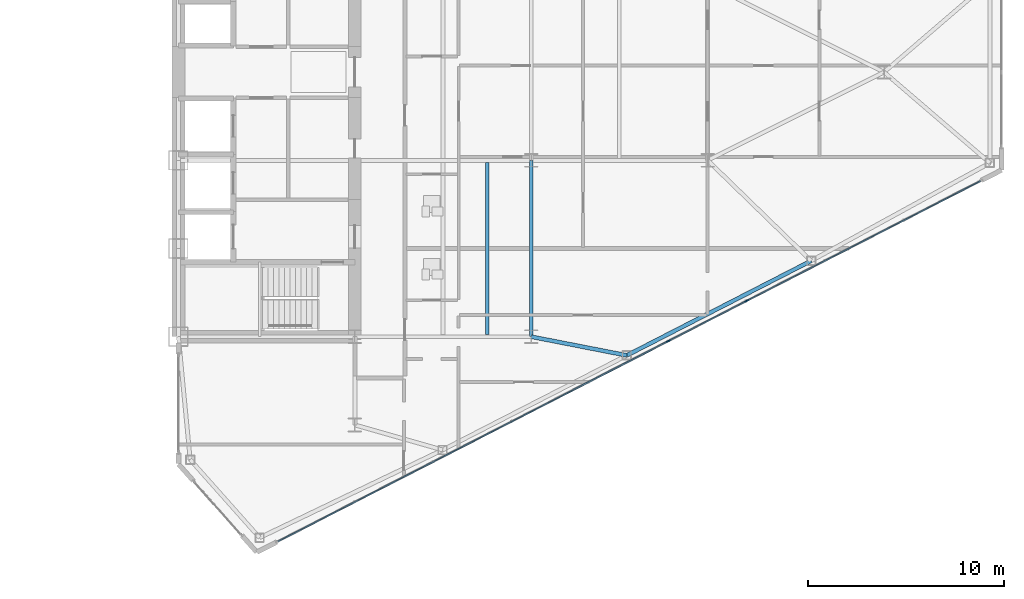
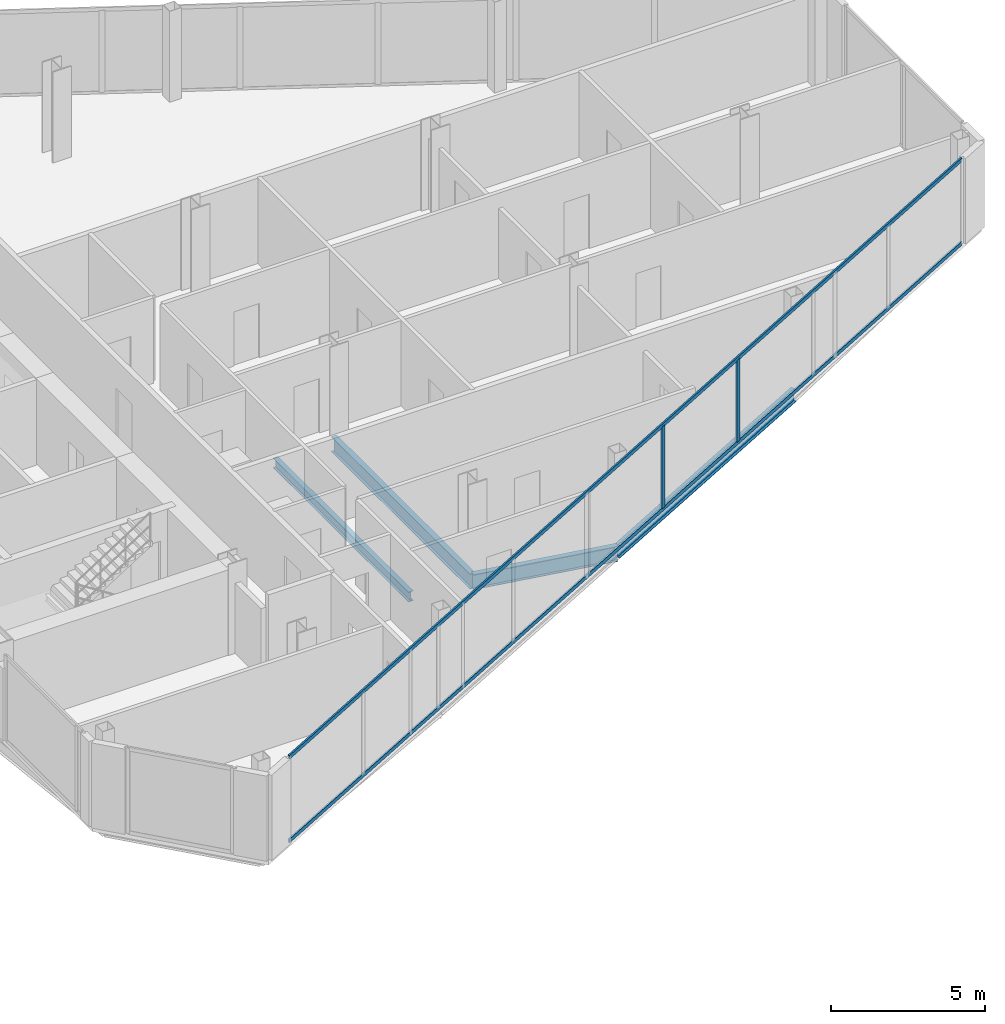
# One storey, part 9 of 23: 4 beams, 4 members, 1 element without a shape of its own.
"""IFC4 building model written with IfcOpenShell, lengths in metres."""

import ifcopenshell
import ifcopenshell.guid

model = None  # the IFC model being written
_history = None  # IfcOwnerHistory: only IFC2X3 demands one
_inside = {}  # id of a spatial element -> (the spatial element, [elements in it])
_under = {}  # id of a project, library or spatial element -> (it, [spatial elements below it])
_declared = {}  # id of a project -> (the project, [libraries it declares])
_typed = {}  # id of a type object -> (the type object, [elements of that type])
_made_of = {}  # id of a material, layer set ... -> (it, [elements and type objects made of it])


def new_model(schema):
    """Start an empty IFC model of exactly this schema.

    Asked for "IFC4X3", IfcOpenShell would pick the latest addendum, in which some entities
    have other attributes; the version numbers below select the first issue.
    IFC2X3 requires an IfcOwnerHistory on every rooted entity: one is made here for all.
    """
    global model, _history
    if schema == "IFC4X3":
        model = ifcopenshell.file(schema_version=(4, 3, 0, 0))
    else:
        model = ifcopenshell.file(schema=schema)
    _inside.clear()
    _under.clear()
    _declared.clear()
    _typed.clear()
    _made_of.clear()
    _history = None
    if model.schema == "IFC2X3":
        org = make("IfcOrganization", Name="unknown")
        user = make(
            "IfcPersonAndOrganization",
            ThePerson=make("IfcPerson", FamilyName="unknown"),
            TheOrganization=org,
        )
        app = make(
            "IfcApplication",
            ApplicationDeveloper=org,
            Version="unknown",
            ApplicationFullName="unknown",
            ApplicationIdentifier="unknown",
        )
        _history = make(
            "IfcOwnerHistory",
            OwningUser=user,
            OwningApplication=app,
            ChangeAction="ADDED",
            CreationDate=0,
        )
    return model


def make(cls, **values):
    """One entity of the class cls with the attributes given. An attribute that is None is left unset."""
    return model.create_entity(
        cls, **{name: value for name, value in values.items() if value is not None}
    )


def rooted(cls, **values):
    """An entity with a GlobalId (a new one), such as an element, a storey or a relation."""
    return make(cls, GlobalId=ifcopenshell.guid.new(), OwnerHistory=_history, **values)


def si_unit(unit_type, name, prefix=None):
    """IfcSIUnit, for example si_unit("LENGTHUNIT", "METRE", prefix="MILLI")."""
    return make("IfcSIUnit", UnitType=unit_type, Prefix=prefix, Name=name)


def assignment(units):
    """IfcUnitAssignment: the units of a project."""
    return None if units is None else make("IfcUnitAssignment", Units=units)


def point(xyz):
    """IfcCartesianPoint."""
    return None if xyz is None else make("IfcCartesianPoint", Coordinates=xyz)


def direction(xyz):
    """IfcDirection."""
    return None if xyz is None else make("IfcDirection", DirectionRatios=xyz)


def frame(location, z_axis=None, x_axis=None):
    """IfcAxis2Placement3D, a coordinate frame: its origin and axes. An axis left out is left unset."""
    return make(
        "IfcAxis2Placement3D",
        Location=point(location),
        Axis=direction(z_axis),
        RefDirection=direction(x_axis),
    )


def frame_2d(location, x_axis=None):
    """IfcAxis2Placement2D, a coordinate frame in the plane: its origin and x axis."""
    return make(
        "IfcAxis2Placement2D", Location=point(location), RefDirection=direction(x_axis)
    )


def origin():
    """The frame at (0, 0, 0) with its axes left unset."""
    return frame((0.0, 0.0, 0.0))


def origin_2d():
    """The frame at (0, 0) in the plane with its x axis left unset."""
    return frame_2d((0.0, 0.0))


def place(relative_to, where):
    """IfcLocalPlacement: puts the frame where relative to a parent placement (None: the world)."""
    return make(
        "IfcLocalPlacement", PlacementRelTo=relative_to, RelativePlacement=where
    )


def context(
    kind, dimensions, precision=None, world=None, true_north=None, identifier=None
):
    """IfcGeometricRepresentationContext, for example the 3D "Model" context."""
    return make(
        "IfcGeometricRepresentationContext",
        ContextIdentifier=identifier,
        ContextType=kind,
        CoordinateSpaceDimension=dimensions,
        Precision=precision,
        WorldCoordinateSystem=world,
        TrueNorth=true_north,
    )


def subcontext(parent, identifier, kind, view, scale=None):
    """IfcGeometricRepresentationSubContext, for example "Body" below "Model"."""
    return make(
        "IfcGeometricRepresentationSubContext",
        ContextIdentifier=identifier,
        ContextType=kind,
        ParentContext=parent,
        TargetScale=scale,
        TargetView=view,
    )


def project(units=None, contexts=None):
    """IfcProject with its units and contexts."""
    return rooted(
        "IfcProject",
        Name="project",
        RepresentationContexts=contexts,
        UnitsInContext=assignment(units),
    )


def spatial(cls, under=None, at=None, **own):
    """A site, building, storey or space (cls), placed at a placement, below another one or the project."""
    s = rooted(cls, ObjectPlacement=at, **own)
    if under is not None:
        _under.setdefault(under.id(), (under, []))[1].append(s)
    return s


def profile(cls, at=None, kind="AREA", **sizes):
    """A parametric profile (cls). Its sizes go by their IFC names, for example OverallWidth=200.0."""
    return make(cls, ProfileType=kind, Position=at, **sizes)


def rectangle(**sizes):
    """IfcRectangleProfileDef."""
    return profile("IfcRectangleProfileDef", **sizes)


def i_section(**sizes):
    """IfcIShapeProfileDef."""
    return profile("IfcIShapeProfileDef", **sizes)


def extrude(swept, where, along, depth):
    """IfcExtrudedAreaSolid: the profile swept, set in the frame where, extruded along a direction by depth."""
    return make(
        "IfcExtrudedAreaSolid",
        SweptArea=swept,
        Position=where,
        ExtrudedDirection=direction(along),
        Depth=depth,
    )


def shape(context_of_items, identifier, shape_type, items):
    """IfcShapeRepresentation: the items that make up one representation, for example the "Body"."""
    return make(
        "IfcShapeRepresentation",
        ContextOfItems=context_of_items,
        RepresentationIdentifier=identifier,
        RepresentationType=shape_type,
        Items=items,
    )


def source(mapping_origin, context_of_items, identifier, shape_type, items):
    """IfcRepresentationMap: a shape defined once, which mapped items show again and again."""
    return make(
        "IfcRepresentationMap",
        MappingOrigin=mapping_origin,
        MappedRepresentation=shape(context_of_items, identifier, shape_type, items),
    )


def transform(
    local_origin,
    x_axis=None,
    y_axis=None,
    z_axis=None,
    scale=None,
    scale2=None,
    scale3=None,
    uniform=True,
):
    """IfcCartesianTransformationOperator3D, or its non-uniform kind. x_axis, y_axis, z_axis: its Axis1, 2, 3."""
    if uniform:
        return make(
            "IfcCartesianTransformationOperator3D",
            Axis1=direction(x_axis),
            Axis2=direction(y_axis),
            LocalOrigin=point(local_origin),
            Scale=scale,
            Axis3=direction(z_axis),
        )
    return make(
        "IfcCartesianTransformationOperator3DnonUniform",
        Axis1=direction(x_axis),
        Axis2=direction(y_axis),
        LocalOrigin=point(local_origin),
        Scale=scale,
        Axis3=direction(z_axis),
        Scale2=scale2,
        Scale3=scale3,
    )


def mapped(mapping_source, mapping_target):
    """IfcMappedItem: shows the shape of a source again, moved by a transform."""
    return make(
        "IfcMappedItem", MappingSource=mapping_source, MappingTarget=mapping_target
    )


def material(Name=None, Category=None):
    """IfcMaterial."""
    return make("IfcMaterial", Name=Name, Category=Category)


def layer(
    of_material, thickness, ventilated=None, Name=None, Category=None, Priority=None
):
    """IfcMaterialLayer: one layer of a wall or slab, of a material (None: an air gap)."""
    return make(
        "IfcMaterialLayer",
        Material=of_material,
        LayerThickness=thickness,
        IsVentilated=ventilated,
        Name=Name,
        Category=Category,
        Priority=Priority,
    )


def layer_set(layers, Name=None):
    """IfcMaterialLayerSet."""
    return make("IfcMaterialLayerSet", MaterialLayers=layers, LayerSetName=Name)


def material_profile(
    of_material, cross_section, Name=None, Category=None, Priority=None
):
    """IfcMaterialProfile: a cross section and its material."""
    return make(
        "IfcMaterialProfile",
        Name=Name,
        Material=of_material,
        Profile=cross_section,
        Priority=Priority,
        Category=Category,
    )


def profile_set(profiles, Name=None, composite=None):
    """IfcMaterialProfileSet."""
    return make(
        "IfcMaterialProfileSet",
        Name=Name,
        MaterialProfiles=profiles,
        CompositeProfile=composite,
    )


def made_of(thing, what):
    """Note that an element or type object is made of a material, layer set ...; save() writes the relation."""
    if what is not None:
        _made_of.setdefault(what.id(), (what, []))[1].append(thing)
    return thing


def type_object(cls, material=None, **own):
    """A type object (cls), such as IfcWallType, which elements share."""
    return made_of(rooted(cls, **own), material)


def type_shapes(of_type, sources):
    """Give a type object the sources (RepresentationMaps) that its elements show as mapped items."""
    of_type.RepresentationMaps = sources


def element(
    cls,
    number,
    at=None,
    inside=None,
    cuts=None,
    type_object=None,
    material=None,
    context=None,
    identifier="Body",
    shape_type=None,
    held_by="IfcProductDefinitionShape",
    body=None,
    shapes=None,
    **own,
):
    """One element of the class cls, such as IfcWall. Its Tag is "e" and its number.

    at: its placement. inside: the storey or other place that contains it. cuts: it is an
    opening in that element (IfcRelVoidsElement). A single representation is given by context,
    identifier, shape_type and body (its items); several are given by shapes. held_by: the class
    of the entity that holds the representations. save() writes the other relations.
    """
    e = rooted(cls, Tag="e%d" % number, ObjectPlacement=at, **own)
    if body is not None:
        shapes = [shape(context, identifier, shape_type, body)]
    if shapes is not None:
        e.Representation = make(held_by, Representations=shapes)
    if inside is not None:
        _inside.setdefault(inside.id(), (inside, []))[1].append(e)
    if cuts is not None:
        rooted(
            "IfcRelVoidsElement", RelatingBuildingElement=cuts, RelatedOpeningElement=e
        )
    if type_object is not None:
        _typed.setdefault(type_object.id(), (type_object, []))[1].append(e)
    return made_of(e, material)


def aggregate(whole, parts):
    """IfcRelAggregates: a whole, such as a stair, and the parts it consists of."""
    return rooted("IfcRelAggregates", RelatingObject=whole, RelatedObjects=parts)


def save(model, path):
    """Write the relations noted so far, then the file.

    IfcRelAggregates (storeys below a building ...), IfcRelContainedInSpatialStructure (elements
    in a storey), IfcRelDefinesByType, IfcRelAssociatesMaterial and IfcRelDeclares: one each for
    every whole, place, type object, material and project.
    """
    for whole, parts in _under.values():
        aggregate(whole, parts)
    for where, things in _inside.values():
        rooted(
            "IfcRelContainedInSpatialStructure",
            RelatedElements=things,
            RelatingStructure=where,
        )
    for kind, things in _typed.values():
        rooted("IfcRelDefinesByType", RelatedObjects=things, RelatingType=kind)
    for what, things in _made_of.values():
        rooted("IfcRelAssociatesMaterial", RelatedObjects=things, RelatingMaterial=what)
    for by, libraries in _declared.values():
        rooted("IfcRelDeclares", RelatingContext=by, RelatedDefinitions=libraries)
    model.write(path)


model = new_model("IFC4")

# Units and contexts
model_context = context("Model", 3, precision=1e-05, world=origin(), true_north=direction((0.0, 1.0)))
body_context = subcontext(model_context, "Body", "Model", "MODEL_VIEW")
ifc_project = project(units=[si_unit("LENGTHUNIT", "METRE"), si_unit("AREAUNIT", "SQUARE_METRE"), si_unit("VOLUMEUNIT", "CUBIC_METRE"), si_unit("PLANEANGLEUNIT", "RADIAN"), si_unit("MASSUNIT", "GRAM", prefix="KILO")], contexts=[model_context])

# Site, building, storey
site_placement = place(None, origin())
site = spatial("IfcSite", under=ifc_project, at=site_placement, CompositionType="ELEMENT")
building_placement = place(site_placement, origin())
building = spatial("IfcBuilding", under=site, at=building_placement, Name="Seokmaru Belvedere", CompositionType="ELEMENT")
storey_placement = place(building_placement, frame((0.0, 0.0, 128.39990234375)))
storey = spatial("IfcBuildingStorey", under=building, at=storey_placement, Name="L34", CompositionType="ELEMENT", Elevation=128.39990234375)

# Beams
ifc_material_1 = material(Name="Steel SM355 (355 MPa)", Category="steel")
ifc_material_profile_1 = material_profile(ifc_material_1, i_section(OverallWidth=0.199951171875, OverallDepth=0.60009765625, WebThickness=0.010986328125, FlangeThickness=0.01708984375, at=origin_2d()), Name="H-600x200x11x17")
ifc_profile_set_1 = profile_set([ifc_material_profile_1], Name="Steel SM355 (355 MPa)")
beam_type_1 = type_object("IfcBeamType", Name="Primary Floor Girder H-600", PredefinedType="BEAM", material=ifc_profile_set_1)
shared_shape_1 = source(origin(), body_context, "Body", "SweptSolid", [
    extrude(i_section(OverallWidth=0.199951171875, OverallDepth=0.60009765625, WebThickness=0.010986328125, FlangeThickness=0.01708984375, at=origin_2d()), origin(), (0.0, 0.0, 1.0), 9.0),
])
beam_1_placement = place(storey_placement, frame((45.5, -13.5, -0.52001953125), z_axis=(0.0, 1.0, 0.0), x_axis=(-1.0, 0.0, 0.0)))
element("IfcBeam", 1, at=beam_1_placement, inside=storey, type_object=beam_type_1, Name="L34 E Interior Grid Girder 1", PredefinedType="BEAM", context=body_context, shape_type="MappedRepresentation", body=[
    mapped(shared_shape_1, transform((0.0, 0.0, 0.0), scale=1.0)),
])
ifc_material_profile_2 = material_profile(ifc_material_1, i_section(OverallWidth=0.18505859375, OverallDepth=0.389892578125, WebThickness=0.008056640625, FlangeThickness=0.011962890625, at=origin_2d()), Name="H-390x185x8x12")
ifc_profile_set_2 = profile_set([ifc_material_profile_2], Name="Steel SM355 (355 MPa)")
beam_type_2 = type_object("IfcBeamType", Name="Secondary Floor Joist H-350", PredefinedType="JOIST", material=ifc_profile_set_2)
shared_shape_2 = source(origin(), body_context, "Body", "SweptSolid", [
    extrude(i_section(OverallWidth=0.18505859375, OverallDepth=0.389892578125, WebThickness=0.008056640625, FlangeThickness=0.011962890625, at=origin_2d()), origin(), (0.0, 0.0, 1.0), 8.7900390625),
])
type_shapes(beam_type_2, [shared_shape_2])
beam_2_placement = place(storey_placement, frame((43.25, -13.39501953125, -0.414794921875), z_axis=(0.0, 1.0, 0.0), x_axis=(-1.0, 0.0, 0.0)))
element("IfcBeam", 2, at=beam_2_placement, inside=storey, type_object=beam_type_2, Name="L34 E Wing Inner Secondary Joist 1", PredefinedType="JOIST", context=body_context, shape_type="MappedRepresentation", body=[
    mapped(shared_shape_2, transform((0.0, 0.0, 0.0), scale=1.0)),
])
ifc_material_profile_3 = material_profile(ifc_material_1, i_section(OverallWidth=0.199951171875, OverallDepth=0.5, WebThickness=0.010009765625, FlangeThickness=0.01611328125, at=origin_2d()), Name="H-500x200x10x16")
ifc_profile_set_3 = profile_set([ifc_material_profile_3], Name="Steel SM355 (355 MPa)")
beam_type_3 = type_object("IfcBeamType", Name="Perimeter Spandrel Beam H-500", PredefinedType="SPANDREL", material=ifc_profile_set_3)
shared_shape_3 = source(origin(), body_context, "Body", "SweptSolid", [
    extrude(i_section(OverallWidth=0.199951171875, OverallDepth=0.5, WebThickness=0.010009765625, FlangeThickness=0.01611328125, at=origin_2d()), origin(), (0.0, 0.0, 1.0), 10.56689453125),
])
type_shapes(beam_type_3, [shared_shape_3])
beam_3_placement = place(storey_placement, frame((50.377197265625, -14.453369140625, -0.469970703125), z_axis=(0.889692588006, 0.456560071455, 0.0), x_axis=(-0.456560071455, 0.889692588006, 0.0)))
element("IfcBeam", 3, at=beam_3_placement, inside=storey, type_object=beam_type_3, Name="L34 E Faceted Flank Spandrel S-3", PredefinedType="SPANDREL", context=body_context, shape_type="MappedRepresentation", body=[
    mapped(shared_shape_3, transform((0.0, 0.0, 0.0), scale=1.0)),
])
shared_shape_4 = source(origin(), body_context, "Body", "SweptSolid", [
    extrude(i_section(OverallWidth=0.199951171875, OverallDepth=0.60009765625, WebThickness=0.010986328125, FlangeThickness=0.01708984375, at=origin_2d()), origin(), (0.0, 0.0, 1.0), 4.969482421875),
])
type_shapes(beam_type_1, [shared_shape_1, shared_shape_4])
beam_4_placement = place(storey_placement, frame((50.377197265625, -14.453369140625, -0.52001953125), z_axis=(-0.98142544456, 0.19184393858, 0.0), x_axis=(-0.19184393858, -0.98142544456, 0.0)))
element("IfcBeam", 4, at=beam_4_placement, inside=storey, type_object=beam_type_1, Name="L34 E Flank Radial Floor Girder S-2", PredefinedType="BEAM", context=body_context, shape_type="MappedRepresentation", body=[
    mapped(shared_shape_4, transform((0.0, 0.0, 0.0), scale=1.0)),
])

# Curtain wall, members
ifc_material_2 = material(Name="Bronze Triple Insulating Glass", Category="glass")
ifc_layer = layer(ifc_material_2, 0.195068359375)
ifc_layer_set = layer_set([ifc_layer], Name="Bronze Triple Insulating Glass")
curtain_wall_type = type_object("IfcCurtainWallType", Name="Sky-Lobby and Mid-Rise Curtain Wall System CW-4", PredefinedType="NOTDEFINED", material=ifc_layer_set)
curtain_wall_placement = place(storey_placement, origin())
curtain_wall = element("IfcCurtainWall", 5, at=curtain_wall_placement, inside=storey, type_object=curtain_wall_type, Name="L34 Curtain Wall EF1", PredefinedType="NOTDEFINED")
ifc_material_3 = material(Name="Anodised Bronze Aluminium", Category="aluminium")
ifc_material_profile_4 = material_profile(ifc_material_3, rectangle(XDim=0.070068359375, YDim=0.195068359375, at=origin_2d()), Name="CW-M-70x195")
ifc_profile_set_4 = profile_set([ifc_material_profile_4], Name="Anodised Bronze Aluminium")
member_type_1 = type_object("IfcMemberType", Name="Bronze Unitised Mullion 70x195", PredefinedType="MULLION", material=ifc_profile_set_4)
shared_shape_5 = source(origin(), body_context, "Body", "SweptSolid", [
    extrude(rectangle(XDim=0.070068359375, YDim=0.195068359375, at=origin_2d()), origin(), (0.0, 0.0, 1.0), 3.25),
])
type_shapes(member_type_1, [shared_shape_5])
member_1_placement = place(storey_placement, frame((52.497314453125, -13.72509765625, 0.065185546875), z_axis=(0.0, 0.0, 1.0), x_axis=(-0.456554528263, 0.889695432562, 0.0)))
member_1 = element("IfcMember", 6, at=member_1_placement, type_object=member_type_1, Name="CW:L34:EF1 Mullion 6", PredefinedType="MULLION", context=body_context, shape_type="MappedRepresentation", body=[
    mapped(shared_shape_5, transform((0.0, 0.0, 0.0), scale=1.0)),
])
member_2_placement = place(storey_placement, frame((56.4921875, -11.675048828125, 0.065185546875), z_axis=(0.0, 0.0, 1.0), x_axis=(-0.456554528263, 0.889695432562, 0.0)))
member_2 = element("IfcMember", 7, at=member_2_placement, type_object=member_type_1, Name="CW:L34:EF1 Mullion 7", PredefinedType="MULLION", context=body_context, shape_type="MappedRepresentation", body=[
    mapped(shared_shape_5, transform((0.0, 0.0, 0.0), scale=1.0)),
])
ifc_material_profile_5 = material_profile(ifc_material_3, rectangle(XDim=0.06494140625, YDim=0.14990234375, at=origin_2d()), Name="CW-T-65x150")
ifc_profile_set_5 = profile_set([ifc_material_profile_5], Name="Anodised Bronze Aluminium")
member_type_2 = type_object("IfcMemberType", Name="Bronze Unitised Transom 65x150", PredefinedType="USERDEFINED", material=ifc_profile_set_5)
shared_shape_6 = source(origin(), body_context, "Body", "SweptSolid", [
    extrude(rectangle(XDim=0.06494140625, YDim=0.14990234375, at=origin_2d()), origin(), (0.0, 0.0, 1.0), 40.271240234375),
])
type_shapes(member_type_2, [shared_shape_6])
member_3_placement = place(storey_placement, frame((32.58544921875, -23.943115234375, 0.03271484375), z_axis=(0.889693089107, 0.456559094965, 0.0), x_axis=(-0.456559094965, 0.889693089107, 0.0)))
member_3 = element("IfcMember", 8, at=member_3_placement, type_object=member_type_2, Name="CW:L34:EF1 Continuous Transom 1", ObjectType="TRANSOM", PredefinedType="USERDEFINED", context=body_context, shape_type="MappedRepresentation", body=[
    mapped(shared_shape_6, transform((0.0, 0.0, 0.0), scale=1.0)),
])
member_4_placement = place(storey_placement, frame((32.58544921875, -23.943115234375, 3.34765625), z_axis=(0.889693089107, 0.456559094965, 0.0), x_axis=(-0.456559094965, 0.889693089107, 0.0)))
member_4 = element("IfcMember", 9, at=member_4_placement, type_object=member_type_2, Name="CW:L34:EF1 Continuous Transom 2", ObjectType="TRANSOM", PredefinedType="USERDEFINED", context=body_context, shape_type="MappedRepresentation", body=[
    mapped(shared_shape_6, transform((0.0, 0.0, 0.0), scale=1.0)),
])
aggregate(curtain_wall, [member_1, member_2, member_3, member_4])

save(model, "model.ifc")
